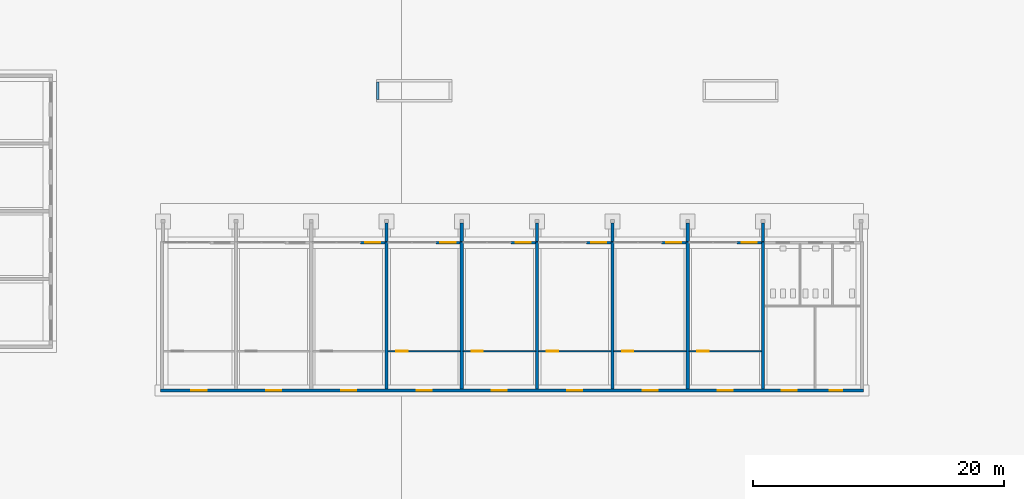
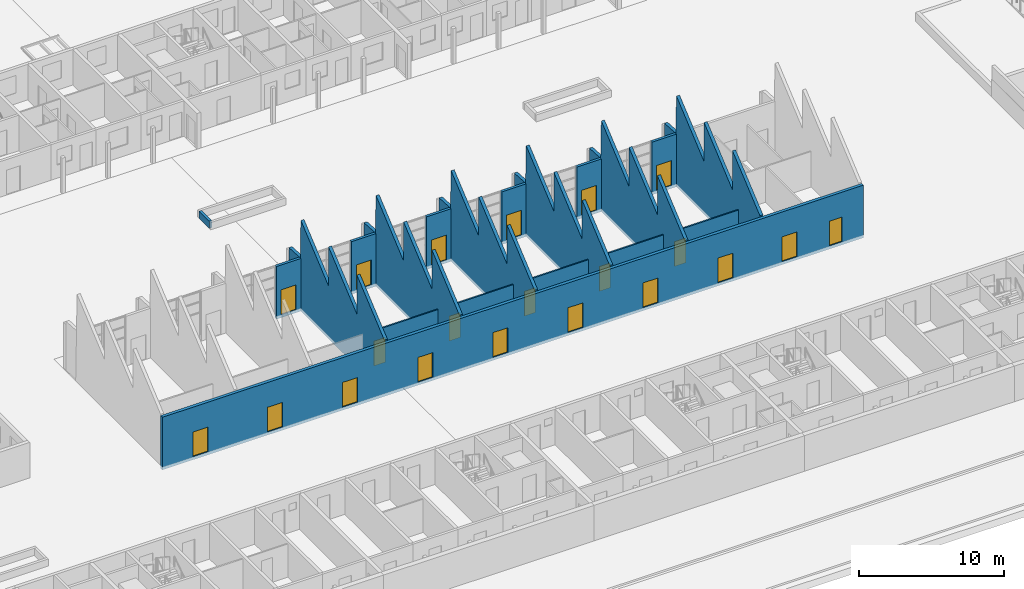
# One storey, part 62 of 112: 25 walls, 21 doors, 21 openings.
"""IFC4 building model written with IfcOpenShell, lengths in metres."""

import ifcopenshell
import ifcopenshell.guid

model = None  # the IFC model being written
_history = None  # IfcOwnerHistory: only IFC2X3 demands one
_inside = {}  # id of a spatial element -> (the spatial element, [elements in it])
_under = {}  # id of a project, library or spatial element -> (it, [spatial elements below it])
_declared = {}  # id of a project -> (the project, [libraries it declares])
_typed = {}  # id of a type object -> (the type object, [elements of that type])
_made_of = {}  # id of a material, layer set ... -> (it, [elements and type objects made of it])


def new_model(schema):
    """Start an empty IFC model of exactly this schema.

    Asked for "IFC4X3", IfcOpenShell would pick the latest addendum, in which some entities
    have other attributes; the version numbers below select the first issue.
    IFC2X3 requires an IfcOwnerHistory on every rooted entity: one is made here for all.
    """
    global model, _history
    if schema == "IFC4X3":
        model = ifcopenshell.file(schema_version=(4, 3, 0, 0))
    else:
        model = ifcopenshell.file(schema=schema)
    _inside.clear()
    _under.clear()
    _declared.clear()
    _typed.clear()
    _made_of.clear()
    _history = None
    if model.schema == "IFC2X3":
        org = make("IfcOrganization", Name="unknown")
        user = make(
            "IfcPersonAndOrganization",
            ThePerson=make("IfcPerson", FamilyName="unknown"),
            TheOrganization=org,
        )
        app = make(
            "IfcApplication",
            ApplicationDeveloper=org,
            Version="unknown",
            ApplicationFullName="unknown",
            ApplicationIdentifier="unknown",
        )
        _history = make(
            "IfcOwnerHistory",
            OwningUser=user,
            OwningApplication=app,
            ChangeAction="ADDED",
            CreationDate=0,
        )
    return model


def make(cls, **values):
    """One entity of the class cls with the attributes given. An attribute that is None is left unset."""
    return model.create_entity(
        cls, **{name: value for name, value in values.items() if value is not None}
    )


def rooted(cls, **values):
    """An entity with a GlobalId (a new one), such as an element, a storey or a relation."""
    return make(cls, GlobalId=ifcopenshell.guid.new(), OwnerHistory=_history, **values)


def si_unit(unit_type, name, prefix=None):
    """IfcSIUnit, for example si_unit("LENGTHUNIT", "METRE", prefix="MILLI")."""
    return make("IfcSIUnit", UnitType=unit_type, Prefix=prefix, Name=name)


def assignment(units):
    """IfcUnitAssignment: the units of a project."""
    return None if units is None else make("IfcUnitAssignment", Units=units)


def point(xyz):
    """IfcCartesianPoint."""
    return None if xyz is None else make("IfcCartesianPoint", Coordinates=xyz)


def direction(xyz):
    """IfcDirection."""
    return None if xyz is None else make("IfcDirection", DirectionRatios=xyz)


def frame(location, z_axis=None, x_axis=None):
    """IfcAxis2Placement3D, a coordinate frame: its origin and axes. An axis left out is left unset."""
    return make(
        "IfcAxis2Placement3D",
        Location=point(location),
        Axis=direction(z_axis),
        RefDirection=direction(x_axis),
    )


def frame_2d(location, x_axis=None):
    """IfcAxis2Placement2D, a coordinate frame in the plane: its origin and x axis."""
    return make(
        "IfcAxis2Placement2D", Location=point(location), RefDirection=direction(x_axis)
    )


def origin():
    """The frame at (0, 0, 0) with its axes left unset."""
    return frame((0.0, 0.0, 0.0))


def place(relative_to, where):
    """IfcLocalPlacement: puts the frame where relative to a parent placement (None: the world)."""
    return make(
        "IfcLocalPlacement", PlacementRelTo=relative_to, RelativePlacement=where
    )


def context(
    kind, dimensions, precision=None, world=None, true_north=None, identifier=None
):
    """IfcGeometricRepresentationContext, for example the 3D "Model" context."""
    return make(
        "IfcGeometricRepresentationContext",
        ContextIdentifier=identifier,
        ContextType=kind,
        CoordinateSpaceDimension=dimensions,
        Precision=precision,
        WorldCoordinateSystem=world,
        TrueNorth=true_north,
    )


def subcontext(parent, identifier, kind, view, scale=None):
    """IfcGeometricRepresentationSubContext, for example "Body" below "Model"."""
    return make(
        "IfcGeometricRepresentationSubContext",
        ContextIdentifier=identifier,
        ContextType=kind,
        ParentContext=parent,
        TargetScale=scale,
        TargetView=view,
    )


def project(units=None, contexts=None):
    """IfcProject with its units and contexts."""
    return rooted(
        "IfcProject",
        Name="project",
        RepresentationContexts=contexts,
        UnitsInContext=assignment(units),
    )


def spatial(cls, under=None, at=None, **own):
    """A site, building, storey or space (cls), placed at a placement, below another one or the project."""
    s = rooted(cls, ObjectPlacement=at, **own)
    if under is not None:
        _under.setdefault(under.id(), (under, []))[1].append(s)
    return s


def polyline(points):
    """IfcPolyline through the points."""
    return make("IfcPolyline", Points=[point(p) for p in points])


def profile(cls, at=None, kind="AREA", **sizes):
    """A parametric profile (cls). Its sizes go by their IFC names, for example OverallWidth=200.0."""
    return make(cls, ProfileType=kind, Position=at, **sizes)


def rectangle(**sizes):
    """IfcRectangleProfileDef."""
    return profile("IfcRectangleProfileDef", **sizes)


def outline(outer, holes=None, kind="AREA"):
    """IfcArbitraryClosedProfileDef: a profile drawn as a closed curve; with holes, ...WithVoids."""
    if holes is None:
        return make("IfcArbitraryClosedProfileDef", ProfileType=kind, OuterCurve=outer)
    return make(
        "IfcArbitraryProfileDefWithVoids",
        ProfileType=kind,
        OuterCurve=outer,
        InnerCurves=holes,
    )


def extrude(swept, where, along, depth):
    """IfcExtrudedAreaSolid: the profile swept, set in the frame where, extruded along a direction by depth."""
    return make(
        "IfcExtrudedAreaSolid",
        SweptArea=swept,
        Position=where,
        ExtrudedDirection=direction(along),
        Depth=depth,
    )


def shape(context_of_items, identifier, shape_type, items):
    """IfcShapeRepresentation: the items that make up one representation, for example the "Body"."""
    return make(
        "IfcShapeRepresentation",
        ContextOfItems=context_of_items,
        RepresentationIdentifier=identifier,
        RepresentationType=shape_type,
        Items=items,
    )


def material(Name=None, Category=None):
    """IfcMaterial."""
    return make("IfcMaterial", Name=Name, Category=Category)


def layer(
    of_material, thickness, ventilated=None, Name=None, Category=None, Priority=None
):
    """IfcMaterialLayer: one layer of a wall or slab, of a material (None: an air gap)."""
    return make(
        "IfcMaterialLayer",
        Material=of_material,
        LayerThickness=thickness,
        IsVentilated=ventilated,
        Name=Name,
        Category=Category,
        Priority=Priority,
    )


def layer_set(layers, Name=None):
    """IfcMaterialLayerSet."""
    return make("IfcMaterialLayerSet", MaterialLayers=layers, LayerSetName=Name)


def made_of(thing, what):
    """Note that an element or type object is made of a material, layer set ...; save() writes the relation."""
    if what is not None:
        _made_of.setdefault(what.id(), (what, []))[1].append(thing)
    return thing


def type_object(cls, material=None, **own):
    """A type object (cls), such as IfcWallType, which elements share."""
    return made_of(rooted(cls, **own), material)


def element(
    cls,
    number,
    at=None,
    inside=None,
    cuts=None,
    type_object=None,
    material=None,
    context=None,
    identifier="Body",
    shape_type=None,
    held_by="IfcProductDefinitionShape",
    body=None,
    shapes=None,
    **own,
):
    """One element of the class cls, such as IfcWall. Its Tag is "e" and its number.

    at: its placement. inside: the storey or other place that contains it. cuts: it is an
    opening in that element (IfcRelVoidsElement). A single representation is given by context,
    identifier, shape_type and body (its items); several are given by shapes. held_by: the class
    of the entity that holds the representations. save() writes the other relations.
    """
    e = rooted(cls, Tag="e%d" % number, ObjectPlacement=at, **own)
    if body is not None:
        shapes = [shape(context, identifier, shape_type, body)]
    if shapes is not None:
        e.Representation = make(held_by, Representations=shapes)
    if inside is not None:
        _inside.setdefault(inside.id(), (inside, []))[1].append(e)
    if cuts is not None:
        rooted(
            "IfcRelVoidsElement", RelatingBuildingElement=cuts, RelatedOpeningElement=e
        )
    if type_object is not None:
        _typed.setdefault(type_object.id(), (type_object, []))[1].append(e)
    return made_of(e, material)


def fill(opening, filler):
    """IfcRelFillsElement: the door or window that sits in an opening."""
    return rooted(
        "IfcRelFillsElement",
        RelatingOpeningElement=opening,
        RelatedBuildingElement=filler,
    )


def aggregate(whole, parts):
    """IfcRelAggregates: a whole, such as a stair, and the parts it consists of."""
    return rooted("IfcRelAggregates", RelatingObject=whole, RelatedObjects=parts)


def save(model, path):
    """Write the relations noted so far, then the file.

    IfcRelAggregates (storeys below a building ...), IfcRelContainedInSpatialStructure (elements
    in a storey), IfcRelDefinesByType, IfcRelAssociatesMaterial and IfcRelDeclares: one each for
    every whole, place, type object, material and project.
    """
    for whole, parts in _under.values():
        aggregate(whole, parts)
    for where, things in _inside.values():
        rooted(
            "IfcRelContainedInSpatialStructure",
            RelatedElements=things,
            RelatingStructure=where,
        )
    for kind, things in _typed.values():
        rooted("IfcRelDefinesByType", RelatedObjects=things, RelatingType=kind)
    for what, things in _made_of.values():
        rooted("IfcRelAssociatesMaterial", RelatedObjects=things, RelatingMaterial=what)
    for by, libraries in _declared.values():
        rooted("IfcRelDeclares", RelatingContext=by, RelatedDefinitions=libraries)
    model.write(path)


model = new_model("IFC4")

# Units and contexts
model_context = context("Model", 3, precision=1e-05, world=origin(), true_north=direction((0.0, 1.0)))
body_context = subcontext(model_context, "Body", "Model", "MODEL_VIEW")
ifc_project = project(units=[si_unit("LENGTHUNIT", "METRE"), si_unit("AREAUNIT", "SQUARE_METRE"), si_unit("VOLUMEUNIT", "CUBIC_METRE"), si_unit("PLANEANGLEUNIT", "RADIAN"), si_unit("MASSUNIT", "GRAM", prefix="KILO")], contexts=[model_context])

# Site, building, storey
site_placement = place(None, origin())
site = spatial("IfcSite", under=ifc_project, at=site_placement, CompositionType="ELEMENT")
building_placement = place(site_placement, origin())
building = spatial("IfcBuilding", under=site, at=building_placement, Name="Ridgestep Commons", CompositionType="ELEMENT")
storey_placement = place(building_placement, origin())
storey = spatial("IfcBuildingStorey", under=building, at=storey_placement, Name="L00", CompositionType="ELEMENT", Elevation=0.0)

# Walls
ifc_material_1 = material(Name="Concrete C30/37", Category="concrete")
ifc_layer_1 = layer(ifc_material_1, 0.199951171875)
ifc_layer_set_1 = layer_set([ifc_layer_1], Name="Community planter wall 200")
wall_type_1 = type_object("IfcWallType", Name="Community planter wall 200", PredefinedType="SOLIDWALL", material=ifc_layer_set_1)
wall_1_placement = place(storey_placement, frame((193.10009765625, 57.300048828125, 0.0), z_axis=(0.0, 0.0, 1.0), x_axis=(0.0, 1.0, 0.0)))
element("IfcWall", 1, at=wall_1_placement, inside=storey, type_object=wall_type_1, Name="Planter wall", PredefinedType="SOLIDWALL", context=body_context, shape_type="SweptSolid", body=[
    extrude(rectangle(XDim=1.39990234375, YDim=0.199951171875, at=frame_2d((0.699951171875, 0.0))), origin(), (0.0, 0.0, 1.0), 0.60009765625),
])
ifc_material_2 = material(Name="Precast concrete C40/50", Category="concrete")
ifc_layer_2 = layer(ifc_material_2, 0.25)
ifc_layer_set_2 = layer_set([ifc_layer_2], Name="Shop arcade fin 250")
wall_type_2 = type_object("IfcWallType", Name="Shop arcade fin 250", PredefinedType="SOLIDWALL", material=ifc_layer_set_2)
for number, where, z_axis, x_axis, name in (
    (2, (193.800048828125, 46.0, -0.25), (0.0, 0.0, 1.0), (0.0, 1.0, 0.0), "Shop arcade fin 250"),
    (3, (199.800048828125, 46.0, -0.25), (0.0, 0.0, 1.0), (0.0, 1.0, 0.0), "Shop arcade fin 250"),
    (4, (205.800048828125, 46.0, -0.25), (0.0, 0.0, 1.0), (0.0, 1.0, 0.0), "Shop arcade fin 250"),
    (5, (211.800048828125, 46.0, -0.25), (0.0, 0.0, 1.0), (0.0, 1.0, 0.0), "Shop arcade fin 250"),
    (6, (217.800048828125, 46.0, -0.25), (0.0, 0.0, 1.0), (0.0, 1.0, 0.0), "Shop arcade fin 250"),
    (7, (223.800048828125, 46.0, -0.25), (0.0, 0.0, 1.0), (0.0, 1.0, 0.0), "Shop arcade fin 250"),
):
    element("IfcWall", number, at=place(storey_placement, frame(where, z_axis=z_axis, x_axis=x_axis)), inside=storey, type_object=wall_type_2, Name=name, PredefinedType="SOLIDWALL", context=body_context, shape_type="SweptSolid", body=[
        extrude(outline(polyline([(0.0, 0.0), (1.449951171875, 0.0), (1.449951171875, 4.360107421875), (0.0, 4.447021484375), (0.0, 0.0)])), frame((0.0, 0.125, 0.0), z_axis=(0.0, -1.0, 0.0), x_axis=(1.0, 0.0, 0.0)), (0.0, 0.0, 1.0), 0.25),
    ])

# Wall, opening, door
ifc_material_3 = material(Name="Precast concrete C40/50", Category="concrete")
ifc_layer_3 = layer(ifc_material_3, 0.199951171875)
ifc_layer_set_3 = layer_set([ifc_layer_3], Name="Shop front wall 200")
wall_type_3 = type_object("IfcWallType", Name="Shop front wall 200", PredefinedType="SOLIDWALL", material=ifc_layer_set_3)
wall_2_placement = place(storey_placement, frame((191.72509765625, 45.89990234375, -0.25), z_axis=(0.0, 0.0, 1.0), x_axis=(1.0, 0.0, 0.0)))
wall_2 = element("IfcWall", 8, at=wall_2_placement, inside=storey, type_object=wall_type_3, Name="Shop front wall 200", PredefinedType="SOLIDWALL", context=body_context, shape_type="SweptSolid", body=[
    extrude(rectangle(XDim=1.949951171875, YDim=0.199951171875, at=frame_2d((0.97509765625, 0.0))), origin(), (0.0, 0.0, 1.0), 4.449951171875),
])
opening_1_placement = place(wall_2_placement, frame((0.375, 0.0, 0.25)))
opening_1 = element("IfcOpeningElement", 9, at=opening_1_placement, cuts=wall_2, Name="Opening C030", PredefinedType="OPENING", context=body_context, shape_type="SweptSolid", body=[
    extrude(rectangle(XDim=1.199951171875, YDim=2.10009765625, at=frame_2d((0.60009765625, 1.050048828125))), frame((0.0, 0.10986328125, 0.0), z_axis=(0.0, -1.0, 0.0), x_axis=(1.0, 0.0, 0.0)), (0.0, 0.0, 1.0), 0.219970703125),
])
ifc_material_4 = material(Name="Aluminium and glass", Category="aluminium")
door_type_1 = type_object("IfcDoorType", Name="Shop door 1200 x 2100", OperationType="SINGLE_SWING_LEFT", PredefinedType="DOOR", material=ifc_material_4)
door_1_placement = place(opening_1_placement, origin())
door_1 = element("IfcDoor", 10, at=door_1_placement, inside=storey, type_object=door_type_1, Name="Shop door 1200 x 2100", OperationType="SINGLE_SWING_LEFT", OverallHeight=2.10009765625, OverallWidth=1.199951171875, PredefinedType="DOOR", context=body_context, shape_type="SweptSolid", body=[
    extrude(rectangle(XDim=1.199951171875, YDim=2.10009765625, at=frame_2d((0.60009765625, 1.050048828125))), frame((0.0, 0.02490234375, 0.0), z_axis=(0.0, -1.0, 0.0), x_axis=(1.0, 0.0, 0.0)), (0.0, 0.0, 1.0), 0.050048828125),
])
fill(opening_1, door_1)

wall_3_placement = place(storey_placement, frame((197.72509765625, 45.89990234375, -0.25), z_axis=(0.0, 0.0, 1.0), x_axis=(1.0, 0.0, 0.0)))
wall_3 = element("IfcWall", 11, at=wall_3_placement, inside=storey, type_object=wall_type_3, Name="Shop front wall 200", PredefinedType="SOLIDWALL", context=body_context, shape_type="SweptSolid", body=[
    extrude(rectangle(XDim=1.949951171875, YDim=0.199951171875, at=frame_2d((0.97509765625, 0.0))), origin(), (0.0, 0.0, 1.0), 4.449951171875),
])
opening_2_placement = place(wall_3_placement, frame((0.375, 0.0, 0.25)))
opening_2 = element("IfcOpeningElement", 12, at=opening_2_placement, cuts=wall_3, Name="Opening C032", PredefinedType="OPENING", context=body_context, shape_type="SweptSolid", body=[
    extrude(rectangle(XDim=1.199951171875, YDim=2.10009765625, at=frame_2d((0.60009765625, 1.050048828125))), frame((0.0, 0.10986328125, 0.0), z_axis=(0.0, -1.0, 0.0), x_axis=(1.0, 0.0, 0.0)), (0.0, 0.0, 1.0), 0.219970703125),
])
door_2_placement = place(opening_2_placement, origin())
door_2 = element("IfcDoor", 13, at=door_2_placement, inside=storey, type_object=door_type_1, Name="Shop door 1200 x 2100", OperationType="SINGLE_SWING_LEFT", OverallHeight=2.10009765625, OverallWidth=1.199951171875, PredefinedType="DOOR", context=body_context, shape_type="SweptSolid", body=[
    extrude(rectangle(XDim=1.199951171875, YDim=2.10009765625, at=frame_2d((0.60009765625, 1.050048828125))), frame((0.0, 0.02490234375, 0.0), z_axis=(0.0, -1.0, 0.0), x_axis=(1.0, 0.0, 0.0)), (0.0, 0.0, 1.0), 0.050048828125),
])
fill(opening_2, door_2)

wall_4_placement = place(storey_placement, frame((203.72509765625, 45.89990234375, -0.25), z_axis=(0.0, 0.0, 1.0), x_axis=(1.0, 0.0, 0.0)))
wall_4 = element("IfcWall", 14, at=wall_4_placement, inside=storey, type_object=wall_type_3, Name="Shop front wall 200", PredefinedType="SOLIDWALL", context=body_context, shape_type="SweptSolid", body=[
    extrude(rectangle(XDim=1.949951171875, YDim=0.199951171875, at=frame_2d((0.97509765625, 0.0))), origin(), (0.0, 0.0, 1.0), 4.449951171875),
])
opening_3_placement = place(wall_4_placement, frame((0.375, 0.0, 0.25)))
opening_3 = element("IfcOpeningElement", 15, at=opening_3_placement, cuts=wall_4, Name="Opening C034", PredefinedType="OPENING", context=body_context, shape_type="SweptSolid", body=[
    extrude(rectangle(XDim=1.199951171875, YDim=2.10009765625, at=frame_2d((0.60009765625, 1.050048828125))), frame((0.0, 0.10986328125, 0.0), z_axis=(0.0, -1.0, 0.0), x_axis=(1.0, 0.0, 0.0)), (0.0, 0.0, 1.0), 0.219970703125),
])
door_3_placement = place(opening_3_placement, origin())
door_3 = element("IfcDoor", 16, at=door_3_placement, inside=storey, type_object=door_type_1, Name="Shop door 1200 x 2100", OperationType="SINGLE_SWING_RIGHT", OverallHeight=2.10009765625, OverallWidth=1.199951171875, PredefinedType="DOOR", context=body_context, shape_type="SweptSolid", body=[
    extrude(rectangle(XDim=1.199951171875, YDim=2.10009765625, at=frame_2d((0.60009765625, 1.050048828125))), frame((0.0, 0.02490234375, 0.0), z_axis=(0.0, -1.0, 0.0), x_axis=(1.0, 0.0, 0.0)), (0.0, 0.0, 1.0), 0.050048828125),
])
fill(opening_3, door_3)

wall_5_placement = place(storey_placement, frame((209.72509765625, 45.89990234375, -0.25), z_axis=(0.0, 0.0, 1.0), x_axis=(1.0, 0.0, 0.0)))
wall_5 = element("IfcWall", 17, at=wall_5_placement, inside=storey, type_object=wall_type_3, Name="Shop front wall 200", PredefinedType="SOLIDWALL", context=body_context, shape_type="SweptSolid", body=[
    extrude(rectangle(XDim=1.949951171875, YDim=0.199951171875, at=frame_2d((0.97509765625, 0.0))), origin(), (0.0, 0.0, 1.0), 4.449951171875),
])
opening_4_placement = place(wall_5_placement, frame((0.375, 0.0, 0.25)))
opening_4 = element("IfcOpeningElement", 18, at=opening_4_placement, cuts=wall_5, Name="Opening C036", PredefinedType="OPENING", context=body_context, shape_type="SweptSolid", body=[
    extrude(rectangle(XDim=1.199951171875, YDim=2.10009765625, at=frame_2d((0.60009765625, 1.050048828125))), frame((0.0, 0.10986328125, 0.0), z_axis=(0.0, -1.0, 0.0), x_axis=(1.0, 0.0, 0.0)), (0.0, 0.0, 1.0), 0.219970703125),
])
door_4_placement = place(opening_4_placement, origin())
door_4 = element("IfcDoor", 19, at=door_4_placement, inside=storey, type_object=door_type_1, Name="Shop door 1200 x 2100", OperationType="SINGLE_SWING_LEFT", OverallHeight=2.10009765625, OverallWidth=1.199951171875, PredefinedType="DOOR", context=body_context, shape_type="SweptSolid", body=[
    extrude(rectangle(XDim=1.199951171875, YDim=2.10009765625, at=frame_2d((0.60009765625, 1.050048828125))), frame((0.0, 0.02490234375, 0.0), z_axis=(0.0, -1.0, 0.0), x_axis=(1.0, 0.0, 0.0)), (0.0, 0.0, 1.0), 0.050048828125),
])
fill(opening_4, door_4)

wall_6_placement = place(storey_placement, frame((215.72509765625, 45.89990234375, -0.25), z_axis=(0.0, 0.0, 1.0), x_axis=(1.0, 0.0, 0.0)))
wall_6 = element("IfcWall", 20, at=wall_6_placement, inside=storey, type_object=wall_type_3, Name="Shop front wall 200", PredefinedType="SOLIDWALL", context=body_context, shape_type="SweptSolid", body=[
    extrude(rectangle(XDim=1.949951171875, YDim=0.199951171875, at=frame_2d((0.97509765625, 0.0))), origin(), (0.0, 0.0, 1.0), 4.449951171875),
])
opening_5_placement = place(wall_6_placement, frame((0.375, 0.0, 0.25)))
opening_5 = element("IfcOpeningElement", 21, at=opening_5_placement, cuts=wall_6, Name="Opening C038", PredefinedType="OPENING", context=body_context, shape_type="SweptSolid", body=[
    extrude(rectangle(XDim=1.199951171875, YDim=2.10009765625, at=frame_2d((0.60009765625, 1.050048828125))), frame((0.0, 0.10986328125, 0.0), z_axis=(0.0, -1.0, 0.0), x_axis=(1.0, 0.0, 0.0)), (0.0, 0.0, 1.0), 0.219970703125),
])
door_5_placement = place(opening_5_placement, origin())
door_5 = element("IfcDoor", 22, at=door_5_placement, inside=storey, type_object=door_type_1, Name="Shop door 1200 x 2100", OperationType="SINGLE_SWING_LEFT", OverallHeight=2.10009765625, OverallWidth=1.199951171875, PredefinedType="DOOR", context=body_context, shape_type="SweptSolid", body=[
    extrude(rectangle(XDim=1.199951171875, YDim=2.10009765625, at=frame_2d((0.60009765625, 1.050048828125))), frame((0.0, 0.02490234375, 0.0), z_axis=(0.0, -1.0, 0.0), x_axis=(1.0, 0.0, 0.0)), (0.0, 0.0, 1.0), 0.050048828125),
])
fill(opening_5, door_5)

wall_7_placement = place(storey_placement, frame((221.72509765625, 45.89990234375, -0.25), z_axis=(0.0, 0.0, 1.0), x_axis=(1.0, 0.0, 0.0)))
wall_7 = element("IfcWall", 23, at=wall_7_placement, inside=storey, type_object=wall_type_3, Name="Shop front wall 200", PredefinedType="SOLIDWALL", context=body_context, shape_type="SweptSolid", body=[
    extrude(rectangle(XDim=1.949951171875, YDim=0.199951171875, at=frame_2d((0.97509765625, 0.0))), origin(), (0.0, 0.0, 1.0), 4.449951171875),
])
opening_6_placement = place(wall_7_placement, frame((0.375, 0.0, 0.25)))
opening_6 = element("IfcOpeningElement", 24, at=opening_6_placement, cuts=wall_7, Name="Opening C040", PredefinedType="OPENING", context=body_context, shape_type="SweptSolid", body=[
    extrude(rectangle(XDim=1.199951171875, YDim=2.10009765625, at=frame_2d((0.60009765625, 1.050048828125))), frame((0.0, 0.10986328125, 0.0), z_axis=(0.0, -1.0, 0.0), x_axis=(1.0, 0.0, 0.0)), (0.0, 0.0, 1.0), 0.219970703125),
])
door_6_placement = place(opening_6_placement, origin())
door_6 = element("IfcDoor", 25, at=door_6_placement, inside=storey, type_object=door_type_1, Name="Shop door 1200 x 2100", OperationType="SINGLE_SWING_RIGHT", OverallHeight=2.10009765625, OverallWidth=1.199951171875, PredefinedType="DOOR", context=body_context, shape_type="SweptSolid", body=[
    extrude(rectangle(XDim=1.199951171875, YDim=2.10009765625, at=frame_2d((0.60009765625, 1.050048828125))), frame((0.0, 0.02490234375, 0.0), z_axis=(0.0, -1.0, 0.0), x_axis=(1.0, 0.0, 0.0)), (0.0, 0.0, 1.0), 0.050048828125),
])
fill(opening_6, door_6)

ifc_material_5 = material(Name="Common brick 110 mm", Category="masonry")
ifc_layer_4 = layer(ifc_material_5, 0.110107421875)
ifc_layer_set_4 = layer_set([ifc_layer_4], Name="Shop partition 110")
wall_type_4 = type_object("IfcWallType", Name="Shop partition 110", PredefinedType="PARTITIONING", material=ifc_layer_set_4)
wall_8_placement = place(storey_placement, frame((193.925048828125, 37.25, 0.0), z_axis=(0.0, 0.0, 1.0), x_axis=(1.0, 0.0, 0.0)))
wall_8 = element("IfcWall", 26, at=wall_8_placement, inside=storey, type_object=wall_type_4, Name="Shop partition 110", PredefinedType="PARTITIONING", context=body_context, shape_type="SweptSolid", body=[
    extrude(rectangle(XDim=5.75, YDim=0.110107421875, at=frame_2d((2.875, 0.0))), origin(), (0.0, 0.0, 1.0), 3.0),
])
opening_7_placement = place(wall_8_placement, frame((0.64990234375, 0.0, 0.0)))
opening_7 = element("IfcOpeningElement", 27, at=opening_7_placement, cuts=wall_8, Name="Opening C110", PredefinedType="OPENING", context=body_context, shape_type="SweptSolid", body=[
    extrude(rectangle(XDim=0.89990234375, YDim=2.10009765625, at=frame_2d((0.449951171875, 1.050048828125))), frame((0.0, 0.06494140625, 0.0), z_axis=(0.0, -1.0, 0.0), x_axis=(1.0, 0.0, 0.0)), (0.0, 0.0, 1.0), 0.130126953125),
])
ifc_material_6 = material(Name="Timber", Category="wood")
door_type_2 = type_object("IfcDoorType", Name="Community door 900 x 2100", OperationType="SINGLE_SWING_LEFT", PredefinedType="DOOR", material=ifc_material_6)
door_7_placement = place(opening_7_placement, origin())
door_7 = element("IfcDoor", 28, at=door_7_placement, inside=storey, type_object=door_type_2, Name="Community door 900 x 2100", OperationType="SINGLE_SWING_LEFT", OverallHeight=2.10009765625, OverallWidth=0.89990234375, PredefinedType="DOOR", context=body_context, shape_type="SweptSolid", body=[
    extrude(rectangle(XDim=0.89990234375, YDim=2.10009765625, at=frame_2d((0.449951171875, 1.050048828125))), frame((0.0, 0.02490234375, 0.0), z_axis=(0.0, -1.0, 0.0), x_axis=(1.0, 0.0, 0.0)), (0.0, 0.0, 1.0), 0.050048828125),
])
fill(opening_7, door_7)

wall_9_placement = place(storey_placement, frame((199.925048828125, 37.25, 0.0), z_axis=(0.0, 0.0, 1.0), x_axis=(1.0, 0.0, 0.0)))
wall_9 = element("IfcWall", 29, at=wall_9_placement, inside=storey, type_object=wall_type_4, Name="Shop partition 110", PredefinedType="PARTITIONING", context=body_context, shape_type="SweptSolid", body=[
    extrude(rectangle(XDim=5.75, YDim=0.110107421875, at=frame_2d((2.875, 0.0))), origin(), (0.0, 0.0, 1.0), 3.0),
])
opening_8_placement = place(wall_9_placement, frame((0.64990234375, 0.0, 0.0)))
opening_8 = element("IfcOpeningElement", 30, at=opening_8_placement, cuts=wall_9, Name="Opening C111", PredefinedType="OPENING", context=body_context, shape_type="SweptSolid", body=[
    extrude(rectangle(XDim=0.89990234375, YDim=2.10009765625, at=frame_2d((0.449951171875, 1.050048828125))), frame((0.0, 0.06494140625, 0.0), z_axis=(0.0, -1.0, 0.0), x_axis=(1.0, 0.0, 0.0)), (0.0, 0.0, 1.0), 0.130126953125),
])
door_8_placement = place(opening_8_placement, origin())
door_8 = element("IfcDoor", 31, at=door_8_placement, inside=storey, type_object=door_type_2, Name="Community door 900 x 2100", OperationType="SINGLE_SWING_RIGHT", OverallHeight=2.10009765625, OverallWidth=0.89990234375, PredefinedType="DOOR", context=body_context, shape_type="SweptSolid", body=[
    extrude(rectangle(XDim=0.89990234375, YDim=2.10009765625, at=frame_2d((0.449951171875, 1.050048828125))), frame((0.0, 0.02490234375, 0.0), z_axis=(0.0, -1.0, 0.0), x_axis=(1.0, 0.0, 0.0)), (0.0, 0.0, 1.0), 0.050048828125),
])
fill(opening_8, door_8)

wall_10_placement = place(storey_placement, frame((205.925048828125, 37.25, 0.0), z_axis=(0.0, 0.0, 1.0), x_axis=(1.0, 0.0, 0.0)))
wall_10 = element("IfcWall", 32, at=wall_10_placement, inside=storey, type_object=wall_type_4, Name="Shop partition 110", PredefinedType="PARTITIONING", context=body_context, shape_type="SweptSolid", body=[
    extrude(rectangle(XDim=5.75, YDim=0.110107421875, at=frame_2d((2.875, 0.0))), origin(), (0.0, 0.0, 1.0), 3.0),
])
opening_9_placement = place(wall_10_placement, frame((0.64990234375, 0.0, 0.0)))
opening_9 = element("IfcOpeningElement", 33, at=opening_9_placement, cuts=wall_10, Name="Opening C112", PredefinedType="OPENING", context=body_context, shape_type="SweptSolid", body=[
    extrude(rectangle(XDim=0.89990234375, YDim=2.10009765625, at=frame_2d((0.449951171875, 1.050048828125))), frame((0.0, 0.06494140625, 0.0), z_axis=(0.0, -1.0, 0.0), x_axis=(1.0, 0.0, 0.0)), (0.0, 0.0, 1.0), 0.130126953125),
])
door_9_placement = place(opening_9_placement, origin())
door_9 = element("IfcDoor", 34, at=door_9_placement, inside=storey, type_object=door_type_2, Name="Community door 900 x 2100", OperationType="SINGLE_SWING_LEFT", OverallHeight=2.10009765625, OverallWidth=0.89990234375, PredefinedType="DOOR", context=body_context, shape_type="SweptSolid", body=[
    extrude(rectangle(XDim=0.89990234375, YDim=2.10009765625, at=frame_2d((0.449951171875, 1.050048828125))), frame((0.0, 0.02490234375, 0.0), z_axis=(0.0, -1.0, 0.0), x_axis=(1.0, 0.0, 0.0)), (0.0, 0.0, 1.0), 0.050048828125),
])
fill(opening_9, door_9)

wall_11_placement = place(storey_placement, frame((211.925048828125, 37.25, 0.0), z_axis=(0.0, 0.0, 1.0), x_axis=(1.0, 0.0, 0.0)))
wall_11 = element("IfcWall", 35, at=wall_11_placement, inside=storey, type_object=wall_type_4, Name="Shop partition 110", PredefinedType="PARTITIONING", context=body_context, shape_type="SweptSolid", body=[
    extrude(rectangle(XDim=5.75, YDim=0.110107421875, at=frame_2d((2.875, 0.0))), origin(), (0.0, 0.0, 1.0), 3.0),
])
opening_10_placement = place(wall_11_placement, frame((0.64990234375, 0.0, 0.0)))
opening_10 = element("IfcOpeningElement", 36, at=opening_10_placement, cuts=wall_11, Name="Opening C113", PredefinedType="OPENING", context=body_context, shape_type="SweptSolid", body=[
    extrude(rectangle(XDim=0.89990234375, YDim=2.10009765625, at=frame_2d((0.449951171875, 1.050048828125))), frame((0.0, 0.06494140625, 0.0), z_axis=(0.0, -1.0, 0.0), x_axis=(1.0, 0.0, 0.0)), (0.0, 0.0, 1.0), 0.130126953125),
])
door_10_placement = place(opening_10_placement, origin())
door_10 = element("IfcDoor", 37, at=door_10_placement, inside=storey, type_object=door_type_2, Name="Community door 900 x 2100", OperationType="SINGLE_SWING_RIGHT", OverallHeight=2.10009765625, OverallWidth=0.89990234375, PredefinedType="DOOR", context=body_context, shape_type="SweptSolid", body=[
    extrude(rectangle(XDim=0.89990234375, YDim=2.10009765625, at=frame_2d((0.449951171875, 1.050048828125))), frame((0.0, 0.02490234375, 0.0), z_axis=(0.0, -1.0, 0.0), x_axis=(1.0, 0.0, 0.0)), (0.0, 0.0, 1.0), 0.050048828125),
])
fill(opening_10, door_10)

wall_12_placement = place(storey_placement, frame((217.925048828125, 37.25, 0.0), z_axis=(0.0, 0.0, 1.0), x_axis=(1.0, 0.0, 0.0)))
wall_12 = element("IfcWall", 38, at=wall_12_placement, inside=storey, type_object=wall_type_4, Name="Shop partition 110", PredefinedType="PARTITIONING", context=body_context, shape_type="SweptSolid", body=[
    extrude(rectangle(XDim=5.75, YDim=0.110107421875, at=frame_2d((2.875, 0.0))), origin(), (0.0, 0.0, 1.0), 3.0),
])
opening_11_placement = place(wall_12_placement, frame((0.64990234375, 0.0, 0.0)))
opening_11 = element("IfcOpeningElement", 39, at=opening_11_placement, cuts=wall_12, Name="Opening C114", PredefinedType="OPENING", context=body_context, shape_type="SweptSolid", body=[
    extrude(rectangle(XDim=0.89990234375, YDim=2.10009765625, at=frame_2d((0.449951171875, 1.050048828125))), frame((0.0, 0.06494140625, 0.0), z_axis=(0.0, -1.0, 0.0), x_axis=(1.0, 0.0, 0.0)), (0.0, 0.0, 1.0), 0.130126953125),
])
door_11_placement = place(opening_11_placement, origin())
door_11 = element("IfcDoor", 40, at=door_11_placement, inside=storey, type_object=door_type_2, Name="Community door 900 x 2100", OperationType="SINGLE_SWING_LEFT", OverallHeight=2.10009765625, OverallWidth=0.89990234375, PredefinedType="DOOR", context=body_context, shape_type="SweptSolid", body=[
    extrude(rectangle(XDim=0.89990234375, YDim=2.10009765625, at=frame_2d((0.449951171875, 1.050048828125))), frame((0.0, 0.02490234375, 0.0), z_axis=(0.0, -1.0, 0.0), x_axis=(1.0, 0.0, 0.0)), (0.0, 0.0, 1.0), 0.050048828125),
])
fill(opening_11, door_11)

# Walls
ifc_material_7 = material(Name="Precast concrete C40/50", Category="concrete")
ifc_layer_5 = layer(ifc_material_7, 0.25)
ifc_layer_set_5 = layer_set([ifc_layer_5], Name="Shop party wall 250")
wall_type_5 = type_object("IfcWallType", Name="Shop party wall 250", PredefinedType="SOLIDWALL", material=ifc_layer_set_5)
for number, where, z_axis, x_axis, name in (
    (41, (193.800048828125, 34.25, -0.25), (0.0, 0.0, 1.0), (0.0, 1.0, 0.0), "Shop party wall 250"),
    (42, (199.800048828125, 34.25, -0.25), (0.0, 0.0, 1.0), (0.0, 1.0, 0.0), "Shop party wall 250"),
    (43, (205.800048828125, 34.25, -0.25), (0.0, 0.0, 1.0), (0.0, 1.0, 0.0), "Shop party wall 250"),
    (44, (211.800048828125, 34.25, -0.25), (0.0, 0.0, 1.0), (0.0, 1.0, 0.0), "Shop party wall 250"),
    (45, (217.800048828125, 34.25, -0.25), (0.0, 0.0, 1.0), (0.0, 1.0, 0.0), "Shop party wall 250"),
    (46, (223.800048828125, 34.25, -0.25), (0.0, 0.0, 1.0), (0.0, 1.0, 0.0), "Shop party wall 250"),
):
    element("IfcWall", number, at=place(storey_placement, frame(where, z_axis=z_axis, x_axis=x_axis)), inside=storey, type_object=wall_type_5, Name=name, PredefinedType="SOLIDWALL", context=body_context, shape_type="SweptSolid", body=[
        extrude(outline(polyline([(0.0, 0.0), (11.75, 0.0), (11.550048828125, 7.662841796875), (7.72607421875, 4.447021484375), (7.72509765625, 7.7470703125), (3.801025390625, 4.447021484375), (3.800048828125, 7.7470703125), (0.0, 4.552001953125), (0.0, 0.0)])), frame((0.0, 0.125, 0.0), z_axis=(0.0, -1.0, 0.0), x_axis=(1.0, 0.0, 0.0)), (0.0, 0.0, 1.0), 0.25),
    ])

# Wall, openings, doors
ifc_material_8 = material(Name="Precast concrete C40/50", Category="concrete")
ifc_layer_6 = layer(ifc_material_8, 0.25)
ifc_layer_set_6 = layer_set([ifc_layer_6], Name="Shop wall 250")
wall_type_6 = type_object("IfcWallType", Name="Shop wall 250", PredefinedType="SOLIDWALL", material=ifc_layer_set_6)
wall_13_placement = place(storey_placement, frame((175.800048828125, 34.125, -0.25), z_axis=(0.0, 0.0, 1.0), x_axis=(1.0, 0.0, 0.0)))
wall_13 = element("IfcWall", 47, at=wall_13_placement, inside=storey, type_object=wall_type_6, Name="Shop wall 250", PredefinedType="SOLIDWALL", context=body_context, shape_type="SweptSolid", body=[
    extrude(rectangle(XDim=56.0, YDim=0.25, at=frame_2d((28.0, 0.0))), origin(), (0.0, 0.0, 1.0), 4.445068359375),
])
opening_12_placement = place(wall_13_placement, frame((2.46240234375, 0.0, 0.25)))
opening_12 = element("IfcOpeningElement", 48, at=opening_12_placement, cuts=wall_13, Name="Opening C027", PredefinedType="OPENING", context=body_context, shape_type="SweptSolid", body=[
    extrude(rectangle(XDim=1.199951171875, YDim=2.10009765625, at=frame_2d((0.60009765625, 1.050048828125))), frame((0.0, 0.135009765625, 0.0), z_axis=(0.0, -1.0, 0.0), x_axis=(1.0, 0.0, 0.0)), (0.0, 0.0, 1.0), 0.27001953125),
])
opening_13_placement = place(wall_13_placement, frame((8.39990234375, 0.0, 0.25)))
opening_13 = element("IfcOpeningElement", 49, at=opening_13_placement, cuts=wall_13, Name="Opening C029", PredefinedType="OPENING", context=body_context, shape_type="SweptSolid", body=[
    extrude(rectangle(XDim=1.199951171875, YDim=2.10009765625, at=frame_2d((0.60009765625, 1.050048828125))), frame((0.0, 0.135009765625, 0.0), z_axis=(0.0, -1.0, 0.0), x_axis=(1.0, 0.0, 0.0)), (0.0, 0.0, 1.0), 0.27001953125),
])
opening_14_placement = place(wall_13_placement, frame((14.39990234375, 0.0, 0.25)))
opening_14 = element("IfcOpeningElement", 50, at=opening_14_placement, cuts=wall_13, Name="Opening C031", PredefinedType="OPENING", context=body_context, shape_type="SweptSolid", body=[
    extrude(rectangle(XDim=1.199951171875, YDim=2.10009765625, at=frame_2d((0.60009765625, 1.050048828125))), frame((0.0, 0.135009765625, 0.0), z_axis=(0.0, -1.0, 0.0), x_axis=(1.0, 0.0, 0.0)), (0.0, 0.0, 1.0), 0.27001953125),
])
opening_15_placement = place(wall_13_placement, frame((20.39990234375, 0.0, 0.25)))
opening_15 = element("IfcOpeningElement", 51, at=opening_15_placement, cuts=wall_13, Name="Opening C033", PredefinedType="OPENING", context=body_context, shape_type="SweptSolid", body=[
    extrude(rectangle(XDim=1.199951171875, YDim=2.10009765625, at=frame_2d((0.60009765625, 1.050048828125))), frame((0.0, 0.135009765625, 0.0), z_axis=(0.0, -1.0, 0.0), x_axis=(1.0, 0.0, 0.0)), (0.0, 0.0, 1.0), 0.27001953125),
])
opening_16_placement = place(wall_13_placement, frame((26.39990234375, 0.0, 0.25)))
opening_16 = element("IfcOpeningElement", 52, at=opening_16_placement, cuts=wall_13, Name="Opening C035", PredefinedType="OPENING", context=body_context, shape_type="SweptSolid", body=[
    extrude(rectangle(XDim=1.199951171875, YDim=2.10009765625, at=frame_2d((0.60009765625, 1.050048828125))), frame((0.0, 0.135009765625, 0.0), z_axis=(0.0, -1.0, 0.0), x_axis=(1.0, 0.0, 0.0)), (0.0, 0.0, 1.0), 0.27001953125),
])
opening_17_placement = place(wall_13_placement, frame((32.39990234375, 0.0, 0.25)))
opening_17 = element("IfcOpeningElement", 53, at=opening_17_placement, cuts=wall_13, Name="Opening C037", PredefinedType="OPENING", context=body_context, shape_type="SweptSolid", body=[
    extrude(rectangle(XDim=1.199951171875, YDim=2.10009765625, at=frame_2d((0.60009765625, 1.050048828125))), frame((0.0, 0.135009765625, 0.0), z_axis=(0.0, -1.0, 0.0), x_axis=(1.0, 0.0, 0.0)), (0.0, 0.0, 1.0), 0.27001953125),
])
opening_18_placement = place(wall_13_placement, frame((38.39990234375, 0.0, 0.25)))
opening_18 = element("IfcOpeningElement", 54, at=opening_18_placement, cuts=wall_13, Name="Opening C039", PredefinedType="OPENING", context=body_context, shape_type="SweptSolid", body=[
    extrude(rectangle(XDim=1.199951171875, YDim=2.10009765625, at=frame_2d((0.60009765625, 1.050048828125))), frame((0.0, 0.135009765625, 0.0), z_axis=(0.0, -1.0, 0.0), x_axis=(1.0, 0.0, 0.0)), (0.0, 0.0, 1.0), 0.27001953125),
])
opening_19_placement = place(wall_13_placement, frame((44.39990234375, 0.0, 0.25)))
opening_19 = element("IfcOpeningElement", 55, at=opening_19_placement, cuts=wall_13, Name="Opening C041", PredefinedType="OPENING", context=body_context, shape_type="SweptSolid", body=[
    extrude(rectangle(XDim=1.199951171875, YDim=2.10009765625, at=frame_2d((0.60009765625, 1.050048828125))), frame((0.0, 0.135009765625, 0.0), z_axis=(0.0, -1.0, 0.0), x_axis=(1.0, 0.0, 0.0)), (0.0, 0.0, 1.0), 0.27001953125),
])
opening_20_placement = place(wall_13_placement, frame((49.5, 0.0, 0.25)))
opening_20 = element("IfcOpeningElement", 56, at=opening_20_placement, cuts=wall_13, Name="Opening C045", PredefinedType="OPENING", context=body_context, shape_type="SweptSolid", body=[
    extrude(rectangle(XDim=1.199951171875, YDim=2.10009765625, at=frame_2d((0.60009765625, 1.050048828125))), frame((0.0, 0.135009765625, 0.0), z_axis=(0.0, -1.0, 0.0), x_axis=(1.0, 0.0, 0.0)), (0.0, 0.0, 1.0), 0.27001953125),
])
opening_21_placement = place(wall_13_placement, frame((53.300048828125, 0.0, 0.25)))
opening_21 = element("IfcOpeningElement", 57, at=opening_21_placement, cuts=wall_13, Name="Opening C046", PredefinedType="OPENING", context=body_context, shape_type="SweptSolid", body=[
    extrude(rectangle(XDim=1.0, YDim=2.10009765625, at=frame_2d((0.5, 1.050048828125))), frame((0.0, 0.135009765625, 0.0), z_axis=(0.0, -1.0, 0.0), x_axis=(1.0, 0.0, 0.0)), (0.0, 0.0, 1.0), 0.27001953125),
])
ifc_material_9 = material(Name="Steel", Category="steel")
door_type_3 = type_object("IfcDoorType", Name="Community plant door 1000 x 2100", OperationType="SINGLE_SWING_LEFT", PredefinedType="DOOR", material=ifc_material_9)
door_12_placement = place(opening_21_placement, origin())
door_12 = element("IfcDoor", 58, at=door_12_placement, inside=storey, type_object=door_type_3, Name="Community plant door 1000 x 2100", OperationType="SINGLE_SWING_RIGHT", OverallHeight=2.10009765625, OverallWidth=1.0, PredefinedType="DOOR", context=body_context, shape_type="SweptSolid", body=[
    extrude(rectangle(XDim=1.0, YDim=2.10009765625, at=frame_2d((0.5, 1.050048828125))), frame((0.0, 0.02490234375, 0.0), z_axis=(0.0, -1.0, 0.0), x_axis=(1.0, 0.0, 0.0)), (0.0, 0.0, 1.0), 0.050048828125),
])
fill(opening_21, door_12)
ifc_material_10 = material(Name="Steel", Category="steel")
door_type_4 = type_object("IfcDoorType", Name="Community servicing door 1200 x 2100", OperationType="SINGLE_SWING_LEFT", PredefinedType="DOOR", material=ifc_material_10)
door_13_placement = place(opening_12_placement, origin())
door_13 = element("IfcDoor", 59, at=door_13_placement, inside=storey, type_object=door_type_4, Name="Community servicing door 1200 x 2100", OperationType="SINGLE_SWING_RIGHT", OverallHeight=2.10009765625, OverallWidth=1.199951171875, PredefinedType="DOOR", context=body_context, shape_type="SweptSolid", body=[
    extrude(rectangle(XDim=1.199951171875, YDim=2.10009765625, at=frame_2d((0.60009765625, 1.050048828125))), frame((0.0, 0.02490234375, 0.0), z_axis=(0.0, -1.0, 0.0), x_axis=(1.0, 0.0, 0.0)), (0.0, 0.0, 1.0), 0.050048828125),
])
fill(opening_12, door_13)
door_14_placement = place(opening_13_placement, origin())
door_14 = element("IfcDoor", 60, at=door_14_placement, inside=storey, type_object=door_type_4, Name="Community servicing door 1200 x 2100", OperationType="SINGLE_SWING_LEFT", OverallHeight=2.10009765625, OverallWidth=1.199951171875, PredefinedType="DOOR", context=body_context, shape_type="SweptSolid", body=[
    extrude(rectangle(XDim=1.199951171875, YDim=2.10009765625, at=frame_2d((0.60009765625, 1.050048828125))), frame((0.0, 0.02490234375, 0.0), z_axis=(0.0, -1.0, 0.0), x_axis=(1.0, 0.0, 0.0)), (0.0, 0.0, 1.0), 0.050048828125),
])
fill(opening_13, door_14)
door_15_placement = place(opening_14_placement, origin())
door_15 = element("IfcDoor", 61, at=door_15_placement, inside=storey, type_object=door_type_4, Name="Community servicing door 1200 x 2100", OperationType="SINGLE_SWING_RIGHT", OverallHeight=2.10009765625, OverallWidth=1.199951171875, PredefinedType="DOOR", context=body_context, shape_type="SweptSolid", body=[
    extrude(rectangle(XDim=1.199951171875, YDim=2.10009765625, at=frame_2d((0.60009765625, 1.050048828125))), frame((0.0, 0.02490234375, 0.0), z_axis=(0.0, -1.0, 0.0), x_axis=(1.0, 0.0, 0.0)), (0.0, 0.0, 1.0), 0.050048828125),
])
fill(opening_14, door_15)
door_16_placement = place(opening_15_placement, origin())
door_16 = element("IfcDoor", 62, at=door_16_placement, inside=storey, type_object=door_type_4, Name="Community servicing door 1200 x 2100", OperationType="SINGLE_SWING_LEFT", OverallHeight=2.10009765625, OverallWidth=1.199951171875, PredefinedType="DOOR", context=body_context, shape_type="SweptSolid", body=[
    extrude(rectangle(XDim=1.199951171875, YDim=2.10009765625, at=frame_2d((0.60009765625, 1.050048828125))), frame((0.0, 0.02490234375, 0.0), z_axis=(0.0, -1.0, 0.0), x_axis=(1.0, 0.0, 0.0)), (0.0, 0.0, 1.0), 0.050048828125),
])
fill(opening_15, door_16)
door_17_placement = place(opening_16_placement, origin())
door_17 = element("IfcDoor", 63, at=door_17_placement, inside=storey, type_object=door_type_4, Name="Community servicing door 1200 x 2100", OperationType="SINGLE_SWING_LEFT", OverallHeight=2.10009765625, OverallWidth=1.199951171875, PredefinedType="DOOR", context=body_context, shape_type="SweptSolid", body=[
    extrude(rectangle(XDim=1.199951171875, YDim=2.10009765625, at=frame_2d((0.60009765625, 1.050048828125))), frame((0.0, 0.02490234375, 0.0), z_axis=(0.0, -1.0, 0.0), x_axis=(1.0, 0.0, 0.0)), (0.0, 0.0, 1.0), 0.050048828125),
])
fill(opening_16, door_17)
door_18_placement = place(opening_17_placement, origin())
door_18 = element("IfcDoor", 64, at=door_18_placement, inside=storey, type_object=door_type_4, Name="Community servicing door 1200 x 2100", OperationType="SINGLE_SWING_LEFT", OverallHeight=2.10009765625, OverallWidth=1.199951171875, PredefinedType="DOOR", context=body_context, shape_type="SweptSolid", body=[
    extrude(rectangle(XDim=1.199951171875, YDim=2.10009765625, at=frame_2d((0.60009765625, 1.050048828125))), frame((0.0, 0.02490234375, 0.0), z_axis=(0.0, -1.0, 0.0), x_axis=(1.0, 0.0, 0.0)), (0.0, 0.0, 1.0), 0.050048828125),
])
fill(opening_17, door_18)
door_19_placement = place(opening_18_placement, origin())
door_19 = element("IfcDoor", 65, at=door_19_placement, inside=storey, type_object=door_type_4, Name="Community servicing door 1200 x 2100", OperationType="SINGLE_SWING_LEFT", OverallHeight=2.10009765625, OverallWidth=1.199951171875, PredefinedType="DOOR", context=body_context, shape_type="SweptSolid", body=[
    extrude(rectangle(XDim=1.199951171875, YDim=2.10009765625, at=frame_2d((0.60009765625, 1.050048828125))), frame((0.0, 0.02490234375, 0.0), z_axis=(0.0, -1.0, 0.0), x_axis=(1.0, 0.0, 0.0)), (0.0, 0.0, 1.0), 0.050048828125),
])
fill(opening_18, door_19)
door_20_placement = place(opening_19_placement, origin())
door_20 = element("IfcDoor", 66, at=door_20_placement, inside=storey, type_object=door_type_4, Name="Community servicing door 1200 x 2100", OperationType="SINGLE_SWING_LEFT", OverallHeight=2.10009765625, OverallWidth=1.199951171875, PredefinedType="DOOR", context=body_context, shape_type="SweptSolid", body=[
    extrude(rectangle(XDim=1.199951171875, YDim=2.10009765625, at=frame_2d((0.60009765625, 1.050048828125))), frame((0.0, 0.02490234375, 0.0), z_axis=(0.0, -1.0, 0.0), x_axis=(1.0, 0.0, 0.0)), (0.0, 0.0, 1.0), 0.050048828125),
])
fill(opening_19, door_20)
door_21_placement = place(opening_20_placement, origin())
door_21 = element("IfcDoor", 67, at=door_21_placement, inside=storey, type_object=door_type_4, Name="Community servicing door 1200 x 2100", OperationType="SINGLE_SWING_RIGHT", OverallHeight=2.10009765625, OverallWidth=1.199951171875, PredefinedType="DOOR", context=body_context, shape_type="SweptSolid", body=[
    extrude(rectangle(XDim=1.199951171875, YDim=2.10009765625, at=frame_2d((0.60009765625, 1.050048828125))), frame((0.0, 0.02490234375, 0.0), z_axis=(0.0, -1.0, 0.0), x_axis=(1.0, 0.0, 0.0)), (0.0, 0.0, 1.0), 0.050048828125),
])
fill(opening_20, door_21)

save(model, "model.ifc")
